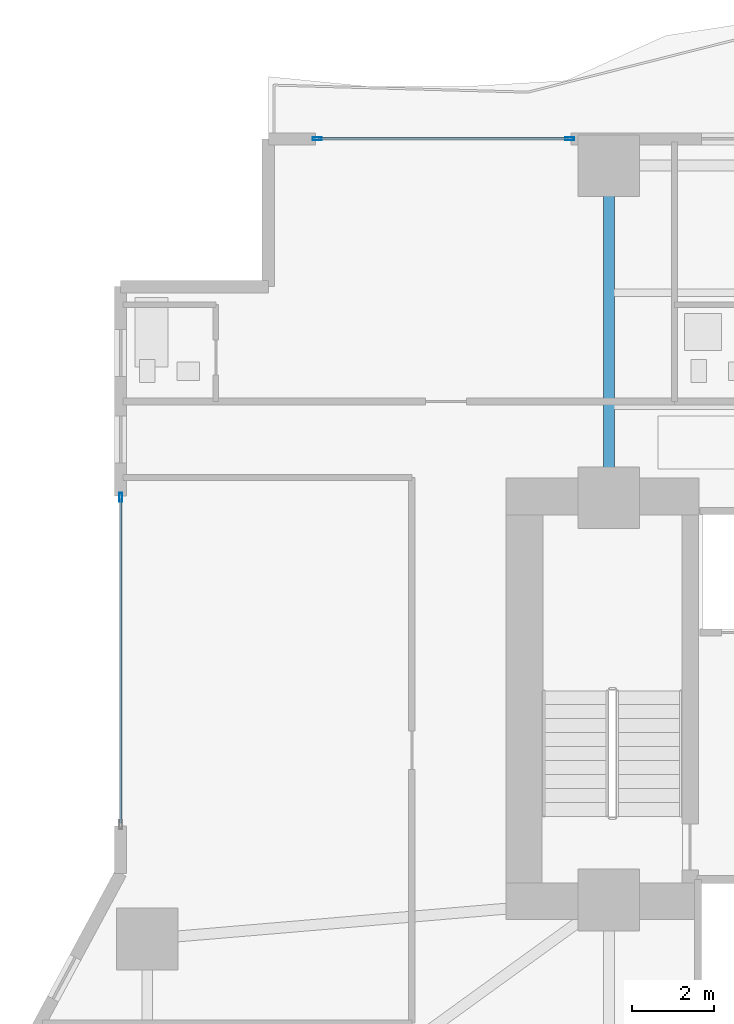
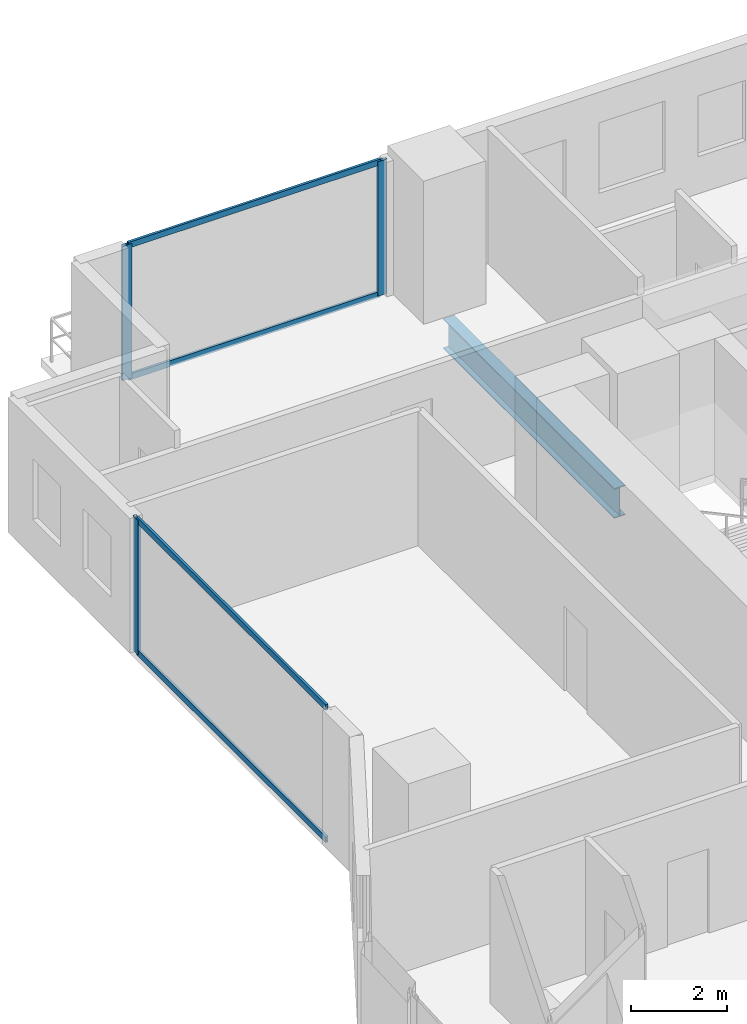
# One storey, part 13 of 28: 7 members, 1 beam, 2 elements without a shape of their own.
"""IFC4 building model written with IfcOpenShell, lengths in metres."""

from ifc_helpers import new_model, si_unit, direction, frame, origin, origin_2d, place, context, subcontext, project, spatial, hollow_rectangle, i_section, extrude, material, layer, layer_set, material_profile, profile_set, type_object, element, aggregate, save


model = new_model("IFC4")

# Units and contexts
model_context = context("Model", 3, precision=1e-05, world=origin(), true_north=direction((0.0, 1.0)))
body_context = subcontext(model_context, "Body", "Model", "MODEL_VIEW")
ifc_project = project(units=[si_unit("LENGTHUNIT", "METRE"), si_unit("AREAUNIT", "SQUARE_METRE"), si_unit("VOLUMEUNIT", "CUBIC_METRE"), si_unit("PLANEANGLEUNIT", "RADIAN"), si_unit("MASSUNIT", "GRAM", prefix="KILO")], contexts=[model_context])

# Site, building, storey
site_placement = place(None, origin())
site = spatial("IfcSite", under=ifc_project, at=site_placement, CompositionType="ELEMENT")
building_placement = place(site_placement, origin())
building = spatial("IfcBuilding", under=site, at=building_placement, Name="Zuhayl Quay Hotel", CompositionType="ELEMENT")
storey_placement = place(building_placement, frame((0.0, 0.0, 56.800048828125)))
storey = spatial("IfcBuildingStorey", under=building, at=storey_placement, Name="L13", CompositionType="ELEMENT", Elevation=56.800048828125)

# Beam
ifc_material_1 = material(Name="Steel ASTM A992 Grade 50", Category="steel")
ifc_material_profile_1 = material_profile(ifc_material_1, i_section(OverallWidth=0.26708984375, OverallDepth=0.761962890625, WebThickness=0.014404296875, FlangeThickness=0.021484375, at=origin_2d()), Name="W30X116")
ifc_profile_set_1 = profile_set([ifc_material_profile_1], Name="Steel ASTM A992 Grade 50")
beam_type = type_object("IfcBeamType", Name="BM_B1_W30X116", PredefinedType="BEAM", material=ifc_profile_set_1)
beam_placement = place(storey_placement, frame((-13.800048828125, 14.800048828125, -0.60107421875), z_axis=(0.0, 1.0, 0.0), x_axis=(-1.0, 0.0, 0.0)))
element("IfcBeam", 1, at=beam_placement, inside=storey, type_object=beam_type, Name="L13 Floor Beam FG_N_L13_1", PredefinedType="BEAM", context=body_context, shape_type="SweptSolid", body=[
    extrude(i_section(OverallWidth=0.26708984375, OverallDepth=0.761962890625, WebThickness=0.014404296875, FlangeThickness=0.021484375, at=origin_2d()), origin(), (0.0, 0.0, 1.0), 7.14990234375),
])

# Curtain wall, member
ifc_material_2 = material(Name="Anodised Aluminium 6063-T6", Category="aluminium")
ifc_layer = layer(ifc_material_2, 0.18994140625, Name="Anodised Aluminium 6063-T6", Category="aluminium")
ifc_layer_set = layer_set([ifc_layer], Name="Anodised Aluminium 6063-T6")
curtain_wall_type = type_object("IfcCurtainWallType", Name="CW_SYS_Z1", PredefinedType="USERDEFINED", material=ifc_layer_set)
curtain_wall_1_placement = place(storey_placement, origin())
curtain_wall_1 = element("IfcCurtainWall", 2, at=curtain_wall_1_placement, inside=storey, type_object=curtain_wall_type, Name="L13 Curtain Wall ENV_L13_E05_CW1", ObjectType="UNITISED CURTAIN WALL", PredefinedType="USERDEFINED")
ifc_material_3 = material(Name="Black-anodised aluminium 6063-T6", Category="aluminium")
ifc_material_profile_2 = material_profile(ifc_material_3, hollow_rectangle(XDim=0.074951171875, YDim=0.219970703125, WallThickness=0.00390625, at=origin_2d()), Name="ALU220X75")
ifc_profile_set_2 = profile_set([ifc_material_profile_2], Name="Black-anodised aluminium 6063-T6")
member_type_1 = type_object("IfcMemberType", Name="MB_CW_MUL_220", PredefinedType="MULLION", material=ifc_profile_set_2)
member_1_placement = place(storey_placement, frame((-25.699951171875, 14.362548828125, 0.0), z_axis=(0.0, 0.0, 1.0), x_axis=(-1.0, 0.0, 0.0)))
member_1 = element("IfcMember", 3, at=member_1_placement, type_object=member_type_1, Name="CW-Z1 mullion 2", PredefinedType="MULLION", context=body_context, shape_type="SweptSolid", body=[
    extrude(hollow_rectangle(XDim=0.074951171875, YDim=0.219970703125, WallThickness=0.00390625, at=origin_2d()), origin(), (0.0, 0.0, 1.0), 3.429931640625),
])

# Curtain wall, members
curtain_wall_2_placement = place(storey_placement, origin())
curtain_wall_2 = element("IfcCurtainWall", 4, at=curtain_wall_2_placement, inside=storey, type_object=curtain_wall_type, Name="L13 Curtain Wall ENV_L13_N_CW1", ObjectType="UNITISED CURTAIN WALL", PredefinedType="USERDEFINED")
member_2_placement = place(storey_placement, frame((-20.91259765625, 23.10009765625, 0.0), z_axis=(0.0, 0.0, 1.0), x_axis=(0.0, 1.0, 0.0)))
member_2 = element("IfcMember", 5, at=member_2_placement, type_object=member_type_1, Name="CW-Z1 mullion 1", PredefinedType="MULLION", context=body_context, shape_type="SweptSolid", body=[
    extrude(hollow_rectangle(XDim=0.074951171875, YDim=0.219970703125, WallThickness=0.00390625, at=origin_2d()), origin(), (0.0, 0.0, 1.0), 3.429931640625),
])
member_3_placement = place(storey_placement, frame((-14.757568359375, 23.10009765625, 0.0), z_axis=(0.0, 0.0, 1.0), x_axis=(0.0, 1.0, 0.0)))
member_3 = element("IfcMember", 6, at=member_3_placement, type_object=member_type_1, Name="CW-Z1 mullion 2", PredefinedType="MULLION", context=body_context, shape_type="SweptSolid", body=[
    extrude(hollow_rectangle(XDim=0.074951171875, YDim=0.219970703125, WallThickness=0.00390625, at=origin_2d()), origin(), (0.0, 0.0, 1.0), 3.429931640625),
])

# Member
ifc_material_profile_3 = material_profile(ifc_material_3, hollow_rectangle(XDim=0.06005859375, YDim=0.14990234375, WallThickness=0.00341796875, at=origin_2d()), Name="ALU150X60")
ifc_profile_set_3 = profile_set([ifc_material_profile_3], Name="Black-anodised aluminium 6063-T6")
member_type_2 = type_object("IfcMemberType", Name="MB_CW_TRN_150", PredefinedType="USERDEFINED", material=ifc_profile_set_3)
member_4_placement = place(storey_placement, frame((-25.699951171875, 6.425048828125, 0.030029296875), z_axis=(0.0, 1.0, 0.0), x_axis=(-1.0, 0.0, 0.0)))
member_4 = element("IfcMember", 7, at=member_4_placement, type_object=member_type_2, Name="CW-Z1 transom 1.1", ObjectType="TRANSOM", PredefinedType="USERDEFINED", context=body_context, shape_type="SweptSolid", body=[
    extrude(hollow_rectangle(XDim=0.06005859375, YDim=0.14990234375, WallThickness=0.00341796875, at=origin_2d()), origin(), (0.0, 0.0, 1.0), 7.89990234375),
])

member_5_placement = place(storey_placement, frame((-25.699951171875, 6.425048828125, 3.39990234375), z_axis=(0.0, 1.0, 0.0), x_axis=(-1.0, 0.0, 0.0)))
member_5 = element("IfcMember", 8, at=member_5_placement, type_object=member_type_2, Name="CW-Z1 transom 1.2", ObjectType="TRANSOM", PredefinedType="USERDEFINED", context=body_context, shape_type="SweptSolid", body=[
    extrude(hollow_rectangle(XDim=0.06005859375, YDim=0.14990234375, WallThickness=0.00341796875, at=origin_2d()), origin(), (0.0, 0.0, 1.0), 7.89990234375),
])

aggregate(curtain_wall_1, [member_1, member_4, member_5])

member_6_placement = place(storey_placement, frame((-20.875, 23.10009765625, 0.030029296875), z_axis=(1.0, 0.0, 0.0), x_axis=(0.0, 1.0, 0.0)))
member_6 = element("IfcMember", 9, at=member_6_placement, type_object=member_type_2, Name="CW-Z1 transom 1.1", ObjectType="TRANSOM", PredefinedType="USERDEFINED", context=body_context, shape_type="SweptSolid", body=[
    extrude(hollow_rectangle(XDim=0.06005859375, YDim=0.14990234375, WallThickness=0.00341796875, at=origin_2d()), origin(), (0.0, 0.0, 1.0), 6.080078125),
])

member_7_placement = place(storey_placement, frame((-20.875, 23.10009765625, 3.39990234375), z_axis=(1.0, 0.0, 0.0), x_axis=(0.0, 1.0, 0.0)))
member_7 = element("IfcMember", 10, at=member_7_placement, type_object=member_type_2, Name="CW-Z1 transom 1.2", ObjectType="TRANSOM", PredefinedType="USERDEFINED", context=body_context, shape_type="SweptSolid", body=[
    extrude(hollow_rectangle(XDim=0.06005859375, YDim=0.14990234375, WallThickness=0.00341796875, at=origin_2d()), origin(), (0.0, 0.0, 1.0), 6.080078125),
])

aggregate(curtain_wall_2, [member_2, member_3, member_6, member_7])

save(model, "model.ifc")
